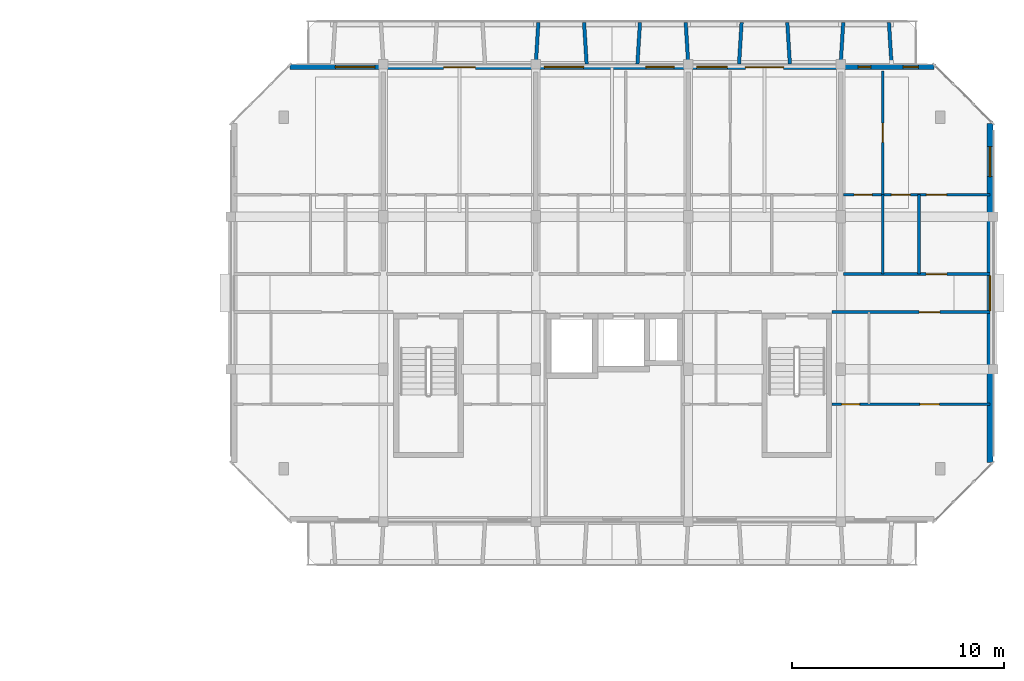
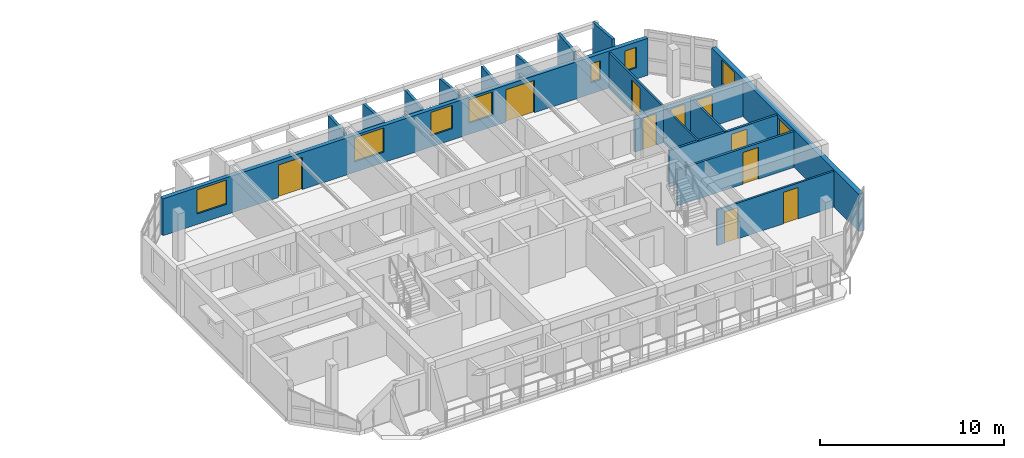
# One storey, part 21 of 30: 17 walls, 10 doors, 8 windows, 18 openings.
"""IFC4 building model written with IfcOpenShell, lengths in metres."""

from ifc_helpers import new_model, si_unit, direction, frame, frame_2d, origin, place, context, subcontext, project, spatial, rectangle, extrude, material, layer, layer_set, type_object, element, fill, save


model = new_model("IFC4")

# Units and contexts
model_context = context("Model", 3, precision=1e-05, world=origin(), true_north=direction((0.0, 1.0)))
body_context = subcontext(model_context, "Body", "Model", "MODEL_VIEW")
ifc_project = project(units=[si_unit("LENGTHUNIT", "METRE"), si_unit("AREAUNIT", "SQUARE_METRE"), si_unit("VOLUMEUNIT", "CUBIC_METRE"), si_unit("PLANEANGLEUNIT", "RADIAN"), si_unit("MASSUNIT", "GRAM", prefix="KILO")], contexts=[model_context])

# Site, building, storey
site_placement = place(None, origin())
site = spatial("IfcSite", under=ifc_project, at=site_placement, CompositionType="ELEMENT")
building_placement = place(site_placement, origin())
building = spatial("IfcBuilding", under=site, at=building_placement, Name="Ochrevale Crest", CompositionType="ELEMENT")
storey_placement = place(building_placement, frame((0.0, 0.0, 33.89990234375)))
storey = spatial("IfcBuildingStorey", under=building, at=storey_placement, Name="L10", CompositionType="ELEMENT", Elevation=33.89990234375)

# Wall, opening, door
ifc_material_1 = material(Name="Gypsum plasterboard", Category="gypsum")
ifc_layer_1 = layer(ifc_material_1, 0.139892578125)
ifc_layer_set_1 = layer_set([ifc_layer_1], Name="Gypsum plasterboard")
wall_type_1 = type_object("IfcWallType", Name="WL-COR-140", PredefinedType="PARTITIONING", material=ifc_layer_set_1)
wall_1_placement = place(storey_placement, frame((158.5400390625, 83.699951171875, 0.0), z_axis=(0.0, 0.0, 1.0), x_axis=(1.0, 0.0, 0.0)))
wall_1 = element("IfcWall", 1, at=wall_1_placement, inside=storey, type_object=wall_type_1, Name="Apartment D-L10-U5 corridor wall", PredefinedType="PARTITIONING", context=body_context, shape_type="SweptSolid", body=[
    extrude(rectangle(XDim=6.919921875, YDim=0.139892578125, at=frame_2d((3.4599609375, 0.0))), origin(), (0.0, 0.0, 1.0), 2.380126953125),
])
opening_1_placement = place(wall_1_placement, frame((4.875, 0.0, 0.0), z_axis=(0.0, 0.0, 1.0), x_axis=(-1.0, 0.0, 0.0)))
opening_1 = element("IfcOpeningElement", 2, at=opening_1_placement, cuts=wall_1, Name="Opening FD01", PredefinedType="OPENING", context=body_context, shape_type="SweptSolid", body=[
    extrude(rectangle(XDim=0.97998046875, YDim=2.10009765625, at=frame_2d((0.489990234375, 1.050048828125))), frame((0.0, 0.080078125, 0.0), z_axis=(0.0, -1.0, 0.0), x_axis=(1.0, 0.0, 0.0)), (0.0, 0.0, 1.0), 0.159912109375),
])
ifc_material_2 = material(Name="Solid-core FSC hardwood", Category="wood")
door_type_1 = type_object("IfcDoorType", Name="DR-APT-950", OperationType="NOTDEFINED", PredefinedType="DOOR", material=ifc_material_2)
door_1_placement = place(opening_1_placement, origin())
door_1 = element("IfcDoor", 3, at=door_1_placement, inside=storey, type_object=door_type_1, Name="Apartment D-L10-U5 entrance door", OperationType="SINGLE_SWING_RIGHT", OverallHeight=2.10009765625, OverallWidth=0.97998046875, PredefinedType="DOOR", context=body_context, shape_type="SweptSolid", body=[
    extrude(rectangle(XDim=0.97998046875, YDim=2.10009765625, at=frame_2d((0.489990234375, 1.050048828125))), frame((0.0, 0.02490234375, 0.0), z_axis=(0.0, -1.0, 0.0), x_axis=(1.0, 0.0, 0.0)), (0.0, 0.0, 1.0), 0.050048828125),
])
fill(opening_1, door_1)

wall_2_placement = place(storey_placement, frame((157.989990234375, 81.89990234375, 0.0), z_axis=(0.0, 0.0, 1.0), x_axis=(1.0, 0.0, 0.0)))
wall_2 = element("IfcWall", 4, at=wall_2_placement, inside=storey, type_object=wall_type_1, Name="Suite D-L10-CE corridor wall", PredefinedType="PARTITIONING", context=body_context, shape_type="SweptSolid", body=[
    extrude(rectangle(XDim=7.469970703125, YDim=0.139892578125, at=frame_2d((3.73486328125, 0.0))), origin(), (0.0, 0.0, 1.0), 2.380126953125),
])
opening_2_placement = place(wall_2_placement, frame((5.10009765625, 0.0, 0.0), z_axis=(0.0, 0.0, 1.0), x_axis=(-1.0, 0.0, 0.0)))
opening_2 = element("IfcOpeningElement", 5, at=opening_2_placement, cuts=wall_2, Name="Opening FD01", PredefinedType="OPENING", context=body_context, shape_type="SweptSolid", body=[
    extrude(rectangle(XDim=0.97998046875, YDim=2.10009765625, at=frame_2d((0.489990234375, 1.050048828125))), frame((0.0, 0.080078125, 0.0), z_axis=(0.0, -1.0, 0.0), x_axis=(1.0, 0.0, 0.0)), (0.0, 0.0, 1.0), 0.159912109375),
])
door_2_placement = place(opening_2_placement, origin())
door_2 = element("IfcDoor", 6, at=door_2_placement, inside=storey, type_object=door_type_1, Name="Suite D-L10-CE entrance door", OperationType="SINGLE_SWING_RIGHT", OverallHeight=2.10009765625, OverallWidth=0.97998046875, PredefinedType="DOOR", context=body_context, shape_type="SweptSolid", body=[
    extrude(rectangle(XDim=0.97998046875, YDim=2.10009765625, at=frame_2d((0.489990234375, 1.050048828125))), frame((0.0, 0.02490234375, 0.0), z_axis=(0.0, -1.0, 0.0), x_axis=(1.0, 0.0, 0.0)), (0.0, 0.0, 1.0), 0.050048828125),
])
fill(opening_2, door_2)

# Wall, openings, windows
ifc_material_3 = material(Name="Clay face brickwork", Category="masonry")
ifc_layer_2 = layer(ifc_material_3, 0.2900390625)
ifc_layer_set_2 = layer_set([ifc_layer_2], Name="Clay face brickwork")
wall_type_2 = type_object("IfcWallType", Name="WL-EXT-BRICK-290", PredefinedType="SOLIDWALL", material=ifc_layer_set_2)
wall_3_placement = place(storey_placement, frame((165.455078125, 74.800048828125, 0.0), z_axis=(0.0, 0.0, 1.0), x_axis=(0.0, 1.0, 0.0)))
wall_3 = element("IfcWall", 7, at=wall_3_placement, inside=storey, type_object=wall_type_2, Name="Block D L10 external facade wall E3", PredefinedType="SOLIDWALL", context=body_context, shape_type="SweptSolid", body=[
    extrude(rectangle(XDim=16.0, YDim=0.2900390625, at=frame_2d((8.0, 0.0))), origin(), (0.0, 0.0, 1.0), 2.47998046875),
])
opening_3_placement = place(wall_3_placement, frame((7.175048828125, 0.0, 1.050048828125)))
opening_3 = element("IfcOpeningElement", 8, at=opening_3_placement, cuts=wall_3, Name="Opening W19", PredefinedType="OPENING", context=body_context, shape_type="SweptSolid", body=[
    extrude(rectangle(XDim=1.64990234375, YDim=1.14990234375, at=frame_2d((0.824951171875, 0.574951171875))), frame((0.0, 0.155029296875, 0.0), z_axis=(0.0, -1.0, 0.0), x_axis=(1.0, 0.0, 0.0)), (0.0, 0.0, 1.0), 0.31005859375),
])
opening_4_placement = place(wall_3_placement, frame((13.5, 0.0, 0.75)))
opening_4 = element("IfcOpeningElement", 9, at=opening_4_placement, cuts=wall_3, Name="Opening W31", PredefinedType="OPENING", context=body_context, shape_type="SweptSolid", body=[
    extrude(rectangle(XDim=1.419921875, YDim=1.60009765625, at=frame_2d((0.7099609375, 0.800048828125))), frame((0.0, 0.155029296875, 0.0), z_axis=(0.0, -1.0, 0.0), x_axis=(1.0, 0.0, 0.0)), (0.0, 0.0, 1.0), 0.31005859375),
])
ifc_material_4 = material(Name="Anodised aluminium 6063-T5 and low-E double glazing", Category="aluminium")
window_type_1 = type_object("IfcWindowType", Name="WIN-W19", PartitioningType="SINGLE_PANEL", PredefinedType="WINDOW", material=ifc_material_4)
window_1_placement = place(opening_3_placement, origin())
window_1 = element("IfcWindow", 10, at=window_1_placement, inside=storey, type_object=window_type_1, Name="Block D L10 corridor end daylight window E", OverallHeight=1.14990234375, OverallWidth=1.64990234375, PartitioningType="SINGLE_PANEL", PredefinedType="WINDOW", context=body_context, shape_type="SweptSolid", body=[
    extrude(rectangle(XDim=1.64990234375, YDim=1.14990234375, at=frame_2d((0.824951171875, 0.574951171875))), frame((0.0, 0.030029296875, 0.0), z_axis=(0.0, -1.0, 0.0), x_axis=(1.0, 0.0, 0.0)), (0.0, 0.0, 1.0), 0.06005859375),
])
fill(opening_3, window_1)
window_type_2 = type_object("IfcWindowType", Name="WIN-W31", PartitioningType="SINGLE_PANEL", PredefinedType="WINDOW", material=ifc_material_4)
window_2_placement = place(opening_4_placement, origin())
window_2 = element("IfcWindow", 11, at=window_2_placement, inside=storey, type_object=window_type_2, Name="Block D L10 side suite window E", OverallHeight=1.60009765625, OverallWidth=1.419921875, PartitioningType="SINGLE_PANEL", PredefinedType="WINDOW", context=body_context, shape_type="SweptSolid", body=[
    extrude(rectangle(XDim=1.419921875, YDim=1.60009765625, at=frame_2d((0.7099609375, 0.800048828125))), frame((0.0, 0.030029296875, 0.0), z_axis=(0.0, -1.0, 0.0), x_axis=(1.0, 0.0, 0.0)), (0.0, 0.0, 1.0), 0.06005859375),
])
fill(opening_4, window_2)

# Wall, openings, doors, windows
ifc_material_5 = material(Name="Precast concrete C40/50", Category="concrete")
ifc_layer_3 = layer(ifc_material_5, 0.25)
ifc_layer_set_3 = layer_set([ifc_layer_3], Name="Precast concrete C40/50")
wall_type_3 = type_object("IfcWallType", Name="WL-EXT-GOLD-250", PredefinedType="SOLIDWALL", material=ifc_layer_set_3)
wall_4_placement = place(storey_placement, frame((162.800048828125, 93.47509765625, 0.0), z_axis=(0.0, 0.0, 1.0), x_axis=(-1.0, 0.0, 0.0)))
wall_4 = element("IfcWall", 12, at=wall_4_placement, inside=storey, type_object=wall_type_3, Name="Block D L10 external facade wall E5", PredefinedType="SOLIDWALL", context=body_context, shape_type="SweptSolid", body=[
    extrude(rectangle(XDim=30.400146484375, YDim=0.25, at=frame_2d((15.2001953125, 0.0))), origin(), (0.0, 0.0, 1.0), 2.4501953125),
])
opening_5_placement = place(wall_4_placement, frame((23.14990234375, 0.0, 0.0), z_axis=(0.0, 0.0, 1.0), x_axis=(-1.0, 0.0, 0.0)))
opening_5 = element("IfcOpeningElement", 13, at=opening_5_placement, cuts=wall_4, Name="Opening BD01", PredefinedType="OPENING", context=body_context, shape_type="SweptSolid", body=[
    extrude(rectangle(XDim=1.5, YDim=2.14990234375, at=frame_2d((0.75, 1.074951171875))), frame((0.0, 0.135009765625, 0.0), z_axis=(0.0, -1.0, 0.0), x_axis=(1.0, 0.0, 0.0)), (0.0, 0.0, 1.0), 0.27001953125),
])
opening_6_placement = place(wall_4_placement, frame((8.900146484375, 0.0, 0.0), z_axis=(0.0, 0.0, 1.0), x_axis=(-1.0, 0.0, 0.0)))
opening_6 = element("IfcOpeningElement", 14, at=opening_6_placement, cuts=wall_4, Name="Opening BD03", PredefinedType="OPENING", context=body_context, shape_type="SweptSolid", body=[
    extrude(rectangle(XDim=1.800048828125, YDim=2.14990234375, at=frame_2d((0.89990234375, 1.074951171875))), frame((0.0, 0.135009765625, 0.0), z_axis=(0.0, -1.0, 0.0), x_axis=(1.0, 0.0, 0.0)), (0.0, 0.0, 1.0), 0.27001953125),
])
opening_7_placement = place(wall_4_placement, frame((26.402587890625, 0.0, 0.699951171875)))
opening_7 = element("IfcOpeningElement", 15, at=opening_7_placement, cuts=wall_4, Name="Opening W11", PredefinedType="OPENING", context=body_context, shape_type="SweptSolid", body=[
    extrude(rectangle(XDim=1.860107421875, YDim=1.60009765625, at=frame_2d((0.93017578125, 0.800048828125))), frame((0.0, 0.135009765625, 0.0), z_axis=(0.0, -1.0, 0.0), x_axis=(1.0, 0.0, 0.0)), (0.0, 0.0, 1.0), 0.27001953125),
])
opening_8_placement = place(wall_4_placement, frame((16.53759765625, 0.0, 0.699951171875)))
opening_8 = element("IfcOpeningElement", 16, at=opening_8_placement, cuts=wall_4, Name="Opening W11", PredefinedType="OPENING", context=body_context, shape_type="SweptSolid", body=[
    extrude(rectangle(XDim=1.860107421875, YDim=1.60009765625, at=frame_2d((0.93017578125, 0.800048828125))), frame((0.0, 0.135009765625, 0.0), z_axis=(0.0, -1.0, 0.0), x_axis=(1.0, 0.0, 0.0)), (0.0, 0.0, 1.0), 0.27001953125),
])
opening_9_placement = place(wall_4_placement, frame((12.262451171875, 0.0, 0.75)))
opening_9 = element("IfcOpeningElement", 17, at=opening_9_placement, cuts=wall_4, Name="Opening W07", PredefinedType="OPENING", context=body_context, shape_type="SweptSolid", body=[
    extrude(rectangle(XDim=1.340087890625, YDim=1.550048828125, at=frame_2d((0.669921875, 0.77490234375))), frame((0.0, 0.135009765625, 0.0), z_axis=(0.0, -1.0, 0.0), x_axis=(1.0, 0.0, 0.0)), (0.0, 0.0, 1.0), 0.27001953125),
])
opening_10_placement = place(wall_4_placement, frame((9.74755859375, 0.0, 0.75)))
opening_10 = element("IfcOpeningElement", 18, at=opening_10_placement, cuts=wall_4, Name="Opening W08", PredefinedType="OPENING", context=body_context, shape_type="SweptSolid", body=[
    extrude(rectangle(XDim=1.4599609375, YDim=1.550048828125, at=frame_2d((0.72998046875, 0.77490234375))), frame((0.0, 0.135009765625, 0.0), z_axis=(0.0, -1.0, 0.0), x_axis=(1.0, 0.0, 0.0)), (0.0, 0.0, 1.0), 0.27001953125),
])
opening_11_placement = place(wall_4_placement, frame((2.9775390625, 0.0, 0.75)))
opening_11 = element("IfcOpeningElement", 19, at=opening_11_placement, cuts=wall_4, Name="Opening W01", PredefinedType="OPENING", context=body_context, shape_type="SweptSolid", body=[
    extrude(rectangle(XDim=0.60009765625, YDim=1.25, at=frame_2d((0.300048828125, 0.625))), frame((0.0, 0.135009765625, 0.0), z_axis=(0.0, -1.0, 0.0), x_axis=(1.0, 0.0, 0.0)), (0.0, 0.0, 1.0), 0.27001953125),
])
opening_12_placement = place(wall_4_placement, frame((0.72509765625, 0.0, 0.75)))
opening_12 = element("IfcOpeningElement", 20, at=opening_12_placement, cuts=wall_4, Name="Opening W02", PredefinedType="OPENING", context=body_context, shape_type="SweptSolid", body=[
    extrude(rectangle(XDim=0.719970703125, YDim=1.35009765625, at=frame_2d((0.35986328125, 0.675048828125))), frame((0.0, 0.135009765625, 0.0), z_axis=(0.0, -1.0, 0.0), x_axis=(1.0, 0.0, 0.0)), (0.0, 0.0, 1.0), 0.27001953125),
])
ifc_material_6 = material(Name="Anodised aluminium 6063-T5 and toughened glass", Category="aluminium")
door_type_2 = type_object("IfcDoorType", Name="DR-BAL-1500", OperationType="NOTDEFINED", PredefinedType="DOOR", material=ifc_material_6)
door_3_placement = place(opening_5_placement, origin())
door_3 = element("IfcDoor", 21, at=door_3_placement, inside=storey, type_object=door_type_2, Name="Block D L10 balcony door N2", OperationType="SINGLE_SWING_LEFT", OverallHeight=2.14990234375, OverallWidth=1.5, PredefinedType="DOOR", context=body_context, shape_type="SweptSolid", body=[
    extrude(rectangle(XDim=1.5, YDim=2.14990234375, at=frame_2d((0.75, 1.074951171875))), frame((0.0, 0.02490234375, 0.0), z_axis=(0.0, -1.0, 0.0), x_axis=(1.0, 0.0, 0.0)), (0.0, 0.0, 1.0), 0.050048828125),
])
fill(opening_5, door_3)
door_type_3 = type_object("IfcDoorType", Name="DR-BAL-1800", OperationType="NOTDEFINED", PredefinedType="DOOR", material=ifc_material_6)
door_4_placement = place(opening_6_placement, origin())
door_4 = element("IfcDoor", 22, at=door_4_placement, inside=storey, type_object=door_type_3, Name="Block D L10 balcony door N4", OperationType="SINGLE_SWING_RIGHT", OverallHeight=2.14990234375, OverallWidth=1.800048828125, PredefinedType="DOOR", context=body_context, shape_type="SweptSolid", body=[
    extrude(rectangle(XDim=1.800048828125, YDim=2.14990234375, at=frame_2d((0.89990234375, 1.074951171875))), frame((0.0, 0.02490234375, 0.0), z_axis=(0.0, -1.0, 0.0), x_axis=(1.0, 0.0, 0.0)), (0.0, 0.0, 1.0), 0.050048828125),
])
fill(opening_6, door_4)
window_type_3 = type_object("IfcWindowType", Name="WIN-W01", PartitioningType="SINGLE_PANEL", PredefinedType="WINDOW", material=ifc_material_4)
window_3_placement = place(opening_11_placement, origin())
window_3 = element("IfcWindow", 23, at=window_3_placement, inside=storey, type_object=window_type_3, Name="Block D L10 Apartment D-L10-U5 Twin Bedroom window", OverallHeight=1.25, OverallWidth=0.60009765625, PartitioningType="SINGLE_PANEL", PredefinedType="WINDOW", context=body_context, shape_type="SweptSolid", body=[
    extrude(rectangle(XDim=0.60009765625, YDim=1.25, at=frame_2d((0.300048828125, 0.625))), frame((0.0, 0.030029296875, 0.0), z_axis=(0.0, -1.0, 0.0), x_axis=(1.0, 0.0, 0.0)), (0.0, 0.0, 1.0), 0.06005859375),
])
fill(opening_11, window_3)
window_type_4 = type_object("IfcWindowType", Name="WIN-W02", PartitioningType="SINGLE_PANEL", PredefinedType="WINDOW", material=ifc_material_4)
window_4_placement = place(opening_12_placement, origin())
window_4 = element("IfcWindow", 24, at=window_4_placement, inside=storey, type_object=window_type_4, Name="Block D L10 Apartment D-L10-U5 Three Bedroom Family Living window", OverallHeight=1.35009765625, OverallWidth=0.719970703125, PartitioningType="SINGLE_PANEL", PredefinedType="WINDOW", context=body_context, shape_type="SweptSolid", body=[
    extrude(rectangle(XDim=0.719970703125, YDim=1.35009765625, at=frame_2d((0.35986328125, 0.675048828125))), frame((0.0, 0.030029296875, 0.0), z_axis=(0.0, -1.0, 0.0), x_axis=(1.0, 0.0, 0.0)), (0.0, 0.0, 1.0), 0.06005859375),
])
fill(opening_12, window_4)
window_type_5 = type_object("IfcWindowType", Name="WIN-W07", PartitioningType="SINGLE_PANEL", PredefinedType="WINDOW", material=ifc_material_4)
window_5_placement = place(opening_9_placement, origin())
window_5 = element("IfcWindow", 25, at=window_5_placement, inside=storey, type_object=window_type_5, Name="Block D L10 Apartment D-L10-U3 Two Bedroom Living Room window", OverallHeight=1.550048828125, OverallWidth=1.340087890625, PartitioningType="SINGLE_PANEL", PredefinedType="WINDOW", context=body_context, shape_type="SweptSolid", body=[
    extrude(rectangle(XDim=1.340087890625, YDim=1.550048828125, at=frame_2d((0.669921875, 0.77490234375))), frame((0.0, 0.030029296875, 0.0), z_axis=(0.0, -1.0, 0.0), x_axis=(1.0, 0.0, 0.0)), (0.0, 0.0, 1.0), 0.06005859375),
])
fill(opening_9, window_5)
window_type_6 = type_object("IfcWindowType", Name="WIN-W08", PartitioningType="SINGLE_PANEL", PredefinedType="WINDOW", material=ifc_material_4)
window_6_placement = place(opening_10_placement, origin())
window_6 = element("IfcWindow", 26, at=window_6_placement, inside=storey, type_object=window_type_6, Name="Block D L10 Apartment D-L10-U4 Master Bedroom window", OverallHeight=1.550048828125, OverallWidth=1.4599609375, PartitioningType="SINGLE_PANEL", PredefinedType="WINDOW", context=body_context, shape_type="SweptSolid", body=[
    extrude(rectangle(XDim=1.4599609375, YDim=1.550048828125, at=frame_2d((0.72998046875, 0.77490234375))), frame((0.0, 0.030029296875, 0.0), z_axis=(0.0, -1.0, 0.0), x_axis=(1.0, 0.0, 0.0)), (0.0, 0.0, 1.0), 0.06005859375),
])
fill(opening_10, window_6)
window_type_7 = type_object("IfcWindowType", Name="WIN-W11", PartitioningType="SINGLE_PANEL", PredefinedType="WINDOW", material=ifc_material_4)
window_7_placement = place(opening_7_placement, origin())
window_7 = element("IfcWindow", 27, at=window_7_placement, inside=storey, type_object=window_type_7, Name="Block D L10 Studio D-L10-U1 Living Room window", OverallHeight=1.60009765625, OverallWidth=1.860107421875, PartitioningType="SINGLE_PANEL", PredefinedType="WINDOW", context=body_context, shape_type="SweptSolid", body=[
    extrude(rectangle(XDim=1.860107421875, YDim=1.60009765625, at=frame_2d((0.93017578125, 0.800048828125))), frame((0.0, 0.030029296875, 0.0), z_axis=(0.0, -1.0, 0.0), x_axis=(1.0, 0.0, 0.0)), (0.0, 0.0, 1.0), 0.06005859375),
])
fill(opening_7, window_7)
window_8_placement = place(opening_8_placement, origin())
window_8 = element("IfcWindow", 28, at=window_8_placement, inside=storey, type_object=window_type_7, Name="Block D L10 Apartment D-L10-U3 Double Bedroom window", OverallHeight=1.60009765625, OverallWidth=1.860107421875, PartitioningType="SINGLE_PANEL", PredefinedType="WINDOW", context=body_context, shape_type="SweptSolid", body=[
    extrude(rectangle(XDim=1.860107421875, YDim=1.60009765625, at=frame_2d((0.93017578125, 0.800048828125))), frame((0.0, 0.030029296875, 0.0), z_axis=(0.0, -1.0, 0.0), x_axis=(1.0, 0.0, 0.0)), (0.0, 0.0, 1.0), 0.06005859375),
])
fill(opening_8, window_8)

# Walls
ifc_layer_4 = layer(ifc_material_5, 0.1650390625)
ifc_layer_set_4 = layer_set([ifc_layer_4], Name="Precast concrete C40/50")
wall_type_4 = type_object("IfcWallType", Name="WL-HC-CHEEK-165", PredefinedType="ELEMENTEDWALL", material=ifc_layer_set_4)
for number, where, z_axis, x_axis, name in (
    (29, (144.0, 93.6201171875, 0.0), (0.0, 0.0, 1.0), (0.061170732449, 0.998127317276, 0.0), "Block D L10 N precast honeycomb cheek 5"),
    (30, (146.39990234375, 93.6201171875, 0.0), (0.0, 0.0, 1.0), (-0.061046865508, 0.998134900808, 0.0), "Block D L10 N precast honeycomb cheek 6"),
    (31, (148.800048828125, 93.6201171875, 0.0), (0.0, 0.0, 1.0), (0.061046865508, 0.998134900808, 0.0), "Block D L10 N precast honeycomb cheek 7"),
    (32, (151.199951171875, 93.6201171875, 0.0), (0.0, 0.0, 1.0), (-0.061046865508, 0.998134900808, 0.0), "Block D L10 N precast honeycomb cheek 8"),
):
    element("IfcWall", number, at=place(storey_placement, frame(where, z_axis=z_axis, x_axis=x_axis)), inside=storey, type_object=wall_type_4, Name=name, PredefinedType="ELEMENTEDWALL", context=body_context, shape_type="SweptSolid", body=[
        extrude(rectangle(XDim=1.963623046875, YDim=0.1650390625, at=frame_2d((0.98193359375, 0.0))), origin(), (0.0, 0.0, 1.0), 2.580078125),
    ])
for number, where, z_axis, x_axis, name in (
    (33, (153.60009765625, 93.6201171875, 0.0), (0.0, 0.0, 1.0), (0.061046865508, 0.998134900808, 0.0), "Block D L10 N precast honeycomb cheek 9"),
    (34, (156.0, 93.6201171875, 0.0), (0.0, 0.0, 1.0), (-0.061170732449, 0.998127317276, 0.0), "Block D L10 N precast honeycomb cheek 10"),
):
    element("IfcWall", number, at=place(storey_placement, frame(where, z_axis=z_axis, x_axis=x_axis)), inside=storey, type_object=wall_type_4, Name=name, PredefinedType="ELEMENTEDWALL", context=body_context, shape_type="SweptSolid", body=[
        extrude(rectangle(XDim=1.963623046875, YDim=0.1650390625, at=frame_2d((0.98193359375, 0.0))), origin(), (0.0, 0.0, 1.0), 2.4501953125),
    ])
for number, where, z_axis, x_axis, name in (
    (35, (158.39990234375, 93.6201171875, 0.0), (0.0, 0.0, 1.0), (0.061170732449, 0.998127317276, 0.0), "Block D L10 N precast honeycomb cheek 11"),
    (36, (160.800048828125, 93.6201171875, 0.0), (0.0, 0.0, 1.0), (-0.061170732449, 0.998127317276, 0.0), "Block D L10 N precast honeycomb cheek 12"),
):
    element("IfcWall", number, at=place(storey_placement, frame(where, z_axis=z_axis, x_axis=x_axis)), inside=storey, type_object=wall_type_4, Name=name, PredefinedType="ELEMENTEDWALL", context=body_context, shape_type="SweptSolid", body=[
        extrude(rectangle(XDim=1.963623046875, YDim=0.1650390625, at=frame_2d((0.98193359375, 0.0))), origin(), (0.0, 0.0, 1.0), 2.9501953125),
    ])
ifc_layer_5 = layer(ifc_material_1, 0.1201171875)
ifc_layer_set_5 = layer_set([ifc_layer_5], Name="Gypsum plasterboard")
wall_type_5 = type_object("IfcWallType", Name="WL-PART-120", PredefinedType="PARTITIONING", material=ifc_layer_set_5)
wall_5_placement = place(storey_placement, frame((162.10009765625, 83.699951171875, 0.0), z_axis=(0.0, 0.0, 1.0), x_axis=(0.0, 1.0, 0.0)))
element("IfcWall", 37, at=wall_5_placement, inside=storey, type_object=wall_type_5, Name="Apartment D-L10-U5 kitchen-foyer wall", PredefinedType="PARTITIONING", context=body_context, shape_type="SweptSolid", body=[
    extrude(rectangle(XDim=3.75, YDim=0.1201171875, at=frame_2d((1.875, 0.0))), origin(), (0.0, 0.0, 1.0), 2.380126953125),
])

# Wall, openings, doors
wall_6_placement = place(storey_placement, frame((158.5400390625, 87.449951171875, 0.0), z_axis=(0.0, 0.0, 1.0), x_axis=(1.0, 0.0, 0.0)))
wall_6 = element("IfcWall", 38, at=wall_6_placement, inside=storey, type_object=wall_type_5, Name="Apartment D-L10-U5 central partition", PredefinedType="PARTITIONING", context=body_context, shape_type="SweptSolid", body=[
    extrude(rectangle(XDim=6.919921875, YDim=0.1201171875, at=frame_2d((3.4599609375, 0.0))), origin(), (0.0, 0.0, 1.0), 2.380126953125),
])
opening_13_placement = place(wall_6_placement, frame((0.5, 0.0, 0.0)))
opening_13 = element("IfcOpeningElement", 39, at=opening_13_placement, cuts=wall_6, Name="Opening ID01", PredefinedType="OPENING", context=body_context, shape_type="SweptSolid", body=[
    extrude(rectangle(XDim=0.85009765625, YDim=2.080078125, at=frame_2d((0.425048828125, 1.0400390625))), frame((0.0, 0.070068359375, 0.0), z_axis=(0.0, -1.0, 0.0), x_axis=(1.0, 0.0, 0.0)), (0.0, 0.0, 1.0), 0.14013671875),
])
opening_14_placement = place(wall_6_placement, frame((3.15478515625, 0.0, 0.0), z_axis=(0.0, 0.0, 1.0), x_axis=(-1.0, 0.0, 0.0)))
opening_14 = element("IfcOpeningElement", 40, at=opening_14_placement, cuts=wall_6, Name="Opening ID02", PredefinedType="OPENING", context=body_context, shape_type="SweptSolid", body=[
    extrude(rectangle(XDim=0.89990234375, YDim=2.080078125, at=frame_2d((0.449951171875, 1.0400390625))), frame((0.0, 0.070068359375, 0.0), z_axis=(0.0, -1.0, 0.0), x_axis=(1.0, 0.0, 0.0)), (0.0, 0.0, 1.0), 0.14013671875),
])
opening_15_placement = place(wall_6_placement, frame((3.909912109375, 0.0, 0.0)))
opening_15 = element("IfcOpeningElement", 41, at=opening_15_placement, cuts=wall_6, Name="Opening ID06", PredefinedType="OPENING", context=body_context, shape_type="SweptSolid", body=[
    extrude(rectangle(XDim=0.949951171875, YDim=2.080078125, at=frame_2d((0.47509765625, 1.0400390625))), frame((0.0, 0.070068359375, 0.0), z_axis=(0.0, -1.0, 0.0), x_axis=(1.0, 0.0, 0.0)), (0.0, 0.0, 1.0), 0.14013671875),
])
door_type_4 = type_object("IfcDoorType", Name="DR-INT-900", OperationType="NOTDEFINED", PredefinedType="DOOR", material=ifc_material_2)
door_5_placement = place(opening_14_placement, origin())
door_5 = element("IfcDoor", 42, at=door_5_placement, inside=storey, type_object=door_type_4, Name="Apartment D-L10-U5 Kitchen door", OperationType="SINGLE_SWING_RIGHT", OverallHeight=2.080078125, OverallWidth=0.89990234375, PredefinedType="DOOR", context=body_context, shape_type="SweptSolid", body=[
    extrude(rectangle(XDim=0.89990234375, YDim=2.080078125, at=frame_2d((0.449951171875, 1.0400390625))), frame((0.0, 0.02490234375, 0.0), z_axis=(0.0, -1.0, 0.0), x_axis=(1.0, 0.0, 0.0)), (0.0, 0.0, 1.0), 0.050048828125),
])
fill(opening_14, door_5)
door_type_5 = type_object("IfcDoorType", Name="DR-INT-950", OperationType="NOTDEFINED", PredefinedType="DOOR", material=ifc_material_2)
door_6_placement = place(opening_15_placement, origin())
door_6 = element("IfcDoor", 43, at=door_6_placement, inside=storey, type_object=door_type_5, Name="Apartment D-L10-U5 Living Foyer door", OperationType="SINGLE_SWING_LEFT", OverallHeight=2.080078125, OverallWidth=0.949951171875, PredefinedType="DOOR", context=body_context, shape_type="SweptSolid", body=[
    extrude(rectangle(XDim=0.949951171875, YDim=2.080078125, at=frame_2d((0.47509765625, 1.0400390625))), frame((0.0, 0.02490234375, 0.0), z_axis=(0.0, -1.0, 0.0), x_axis=(1.0, 0.0, 0.0)), (0.0, 0.0, 1.0), 0.050048828125),
])
fill(opening_15, door_6)
door_type_6 = type_object("IfcDoorType", Name="DR-WC-850", OperationType="NOTDEFINED", PredefinedType="DOOR", material=ifc_material_2)
door_7_placement = place(opening_13_placement, origin())
door_7 = element("IfcDoor", 44, at=door_7_placement, inside=storey, type_object=door_type_6, Name="Apartment D-L10-U5 Bathroom door", OperationType="SINGLE_SWING_LEFT", OverallHeight=2.080078125, OverallWidth=0.85009765625, PredefinedType="DOOR", context=body_context, shape_type="SweptSolid", body=[
    extrude(rectangle(XDim=0.85009765625, YDim=2.080078125, at=frame_2d((0.425048828125, 1.0400390625))), frame((0.0, 0.02490234375, 0.0), z_axis=(0.0, -1.0, 0.0), x_axis=(1.0, 0.0, 0.0)), (0.0, 0.0, 1.0), 0.050048828125),
])
fill(opening_13, door_7)

# Wall, opening, door
wall_7_placement = place(storey_placement, frame((160.389892578125, 87.449951171875, 0.0), z_axis=(0.0, 0.0, 1.0), x_axis=(0.0, 1.0, 0.0)))
wall_7 = element("IfcWall", 45, at=wall_7_placement, inside=storey, type_object=wall_type_5, Name="Apartment D-L10-U5 bedroom partition", PredefinedType="PARTITIONING", context=body_context, shape_type="SweptSolid", body=[
    extrude(rectangle(XDim=5.85009765625, YDim=0.1201171875, at=frame_2d((2.925048828125, 0.0))), origin(), (0.0, 0.0, 1.0), 2.380126953125),
])
opening_16_placement = place(wall_7_placement, frame((3.375, 0.0, 0.0), z_axis=(0.0, 0.0, 1.0), x_axis=(-1.0, 0.0, 0.0)))
opening_16 = element("IfcOpeningElement", 46, at=opening_16_placement, cuts=wall_7, Name="Opening ID02", PredefinedType="OPENING", context=body_context, shape_type="SweptSolid", body=[
    extrude(rectangle(XDim=0.89990234375, YDim=2.080078125, at=frame_2d((0.449951171875, 1.0400390625))), frame((0.0, 0.070068359375, 0.0), z_axis=(0.0, -1.0, 0.0), x_axis=(1.0, 0.0, 0.0)), (0.0, 0.0, 1.0), 0.14013671875),
])
door_8_placement = place(opening_16_placement, origin())
door_8 = element("IfcDoor", 47, at=door_8_placement, inside=storey, type_object=door_type_4, Name="Apartment D-L10-U5 Twin Bedroom door", OperationType="SINGLE_SWING_RIGHT", OverallHeight=2.080078125, OverallWidth=0.89990234375, PredefinedType="DOOR", context=body_context, shape_type="SweptSolid", body=[
    extrude(rectangle(XDim=0.89990234375, YDim=2.080078125, at=frame_2d((0.449951171875, 1.0400390625))), frame((0.0, 0.02490234375, 0.0), z_axis=(0.0, -1.0, 0.0), x_axis=(1.0, 0.0, 0.0)), (0.0, 0.0, 1.0), 0.050048828125),
])
fill(opening_16, door_8)

# Wall, openings, doors
wall_8_placement = place(storey_placement, frame((157.989990234375, 77.550048828125, 0.0), z_axis=(0.0, 0.0, 1.0), x_axis=(1.0, 0.0, 0.0)))
wall_8 = element("IfcWall", 48, at=wall_8_placement, inside=storey, type_object=wall_type_5, Name="Suite D-L10-CE internal wall", PredefinedType="PARTITIONING", context=body_context, shape_type="SweptSolid", body=[
    extrude(rectangle(XDim=7.469970703125, YDim=0.1201171875, at=frame_2d((3.73486328125, 0.0))), origin(), (0.0, 0.0, 1.0), 2.380126953125),
])
opening_17_placement = place(wall_8_placement, frame((0.449951171875, 0.0, 0.0)))
opening_17 = element("IfcOpeningElement", 49, at=opening_17_placement, cuts=wall_8, Name="Opening ID01", PredefinedType="OPENING", context=body_context, shape_type="SweptSolid", body=[
    extrude(rectangle(XDim=0.85009765625, YDim=2.080078125, at=frame_2d((0.425048828125, 1.0400390625))), frame((0.0, 0.070068359375, 0.0), z_axis=(0.0, -1.0, 0.0), x_axis=(1.0, 0.0, 0.0)), (0.0, 0.0, 1.0), 0.14013671875),
])
opening_18_placement = place(wall_8_placement, frame((5.06982421875, 0.0, 0.0), z_axis=(0.0, 0.0, 1.0), x_axis=(-1.0, 0.0, 0.0)))
opening_18 = element("IfcOpeningElement", 50, at=opening_18_placement, cuts=wall_8, Name="Opening ID04", PredefinedType="OPENING", context=body_context, shape_type="SweptSolid", body=[
    extrude(rectangle(XDim=0.919921875, YDim=2.080078125, at=frame_2d((0.4599609375, 1.0400390625))), frame((0.0, 0.070068359375, 0.0), z_axis=(0.0, -1.0, 0.0), x_axis=(1.0, 0.0, 0.0)), (0.0, 0.0, 1.0), 0.14013671875),
])
door_type_7 = type_object("IfcDoorType", Name="DR-INT-920", OperationType="NOTDEFINED", PredefinedType="DOOR", material=ifc_material_2)
door_9_placement = place(opening_18_placement, origin())
door_9 = element("IfcDoor", 51, at=door_9_placement, inside=storey, type_object=door_type_7, Name="Suite D-L10-CE Master Bedroom door", OperationType="SINGLE_SWING_RIGHT", OverallHeight=2.080078125, OverallWidth=0.919921875, PredefinedType="DOOR", context=body_context, shape_type="SweptSolid", body=[
    extrude(rectangle(XDim=0.919921875, YDim=2.080078125, at=frame_2d((0.4599609375, 1.0400390625))), frame((0.0, 0.02490234375, 0.0), z_axis=(0.0, -1.0, 0.0), x_axis=(1.0, 0.0, 0.0)), (0.0, 0.0, 1.0), 0.050048828125),
])
fill(opening_18, door_9)
door_10_placement = place(opening_17_placement, origin())
door_10 = element("IfcDoor", 52, at=door_10_placement, inside=storey, type_object=door_type_6, Name="Suite D-L10-CE Bathroom door", OperationType="SINGLE_SWING_LEFT", OverallHeight=2.080078125, OverallWidth=0.85009765625, PredefinedType="DOOR", context=body_context, shape_type="SweptSolid", body=[
    extrude(rectangle(XDim=0.85009765625, YDim=2.080078125, at=frame_2d((0.425048828125, 1.0400390625))), frame((0.0, 0.02490234375, 0.0), z_axis=(0.0, -1.0, 0.0), x_axis=(1.0, 0.0, 0.0)), (0.0, 0.0, 1.0), 0.050048828125),
])
fill(opening_17, door_10)

# Wall
ifc_layer_6 = layer(ifc_material_1, 0.10009765625)
ifc_layer_set_6 = layer_set([ifc_layer_6], Name="Gypsum plasterboard")
wall_type_6 = type_object("IfcWallType", Name="WL-WET-100", PredefinedType="PARTITIONING", material=ifc_layer_set_6)
wall_9_placement = place(storey_placement, frame((160.389892578125, 83.699951171875, 0.0), z_axis=(0.0, 0.0, 1.0), x_axis=(0.0, 1.0, 0.0)))
element("IfcWall", 53, at=wall_9_placement, inside=storey, type_object=wall_type_6, Name="Apartment D-L10-U5 bath-kitchen wall", PredefinedType="PARTITIONING", context=body_context, shape_type="SweptSolid", body=[
    extrude(rectangle(XDim=3.75, YDim=0.10009765625, at=frame_2d((1.875, 0.0))), origin(), (0.0, 0.0, 1.0), 2.380126953125),
])

save(model, "model.ifc")
